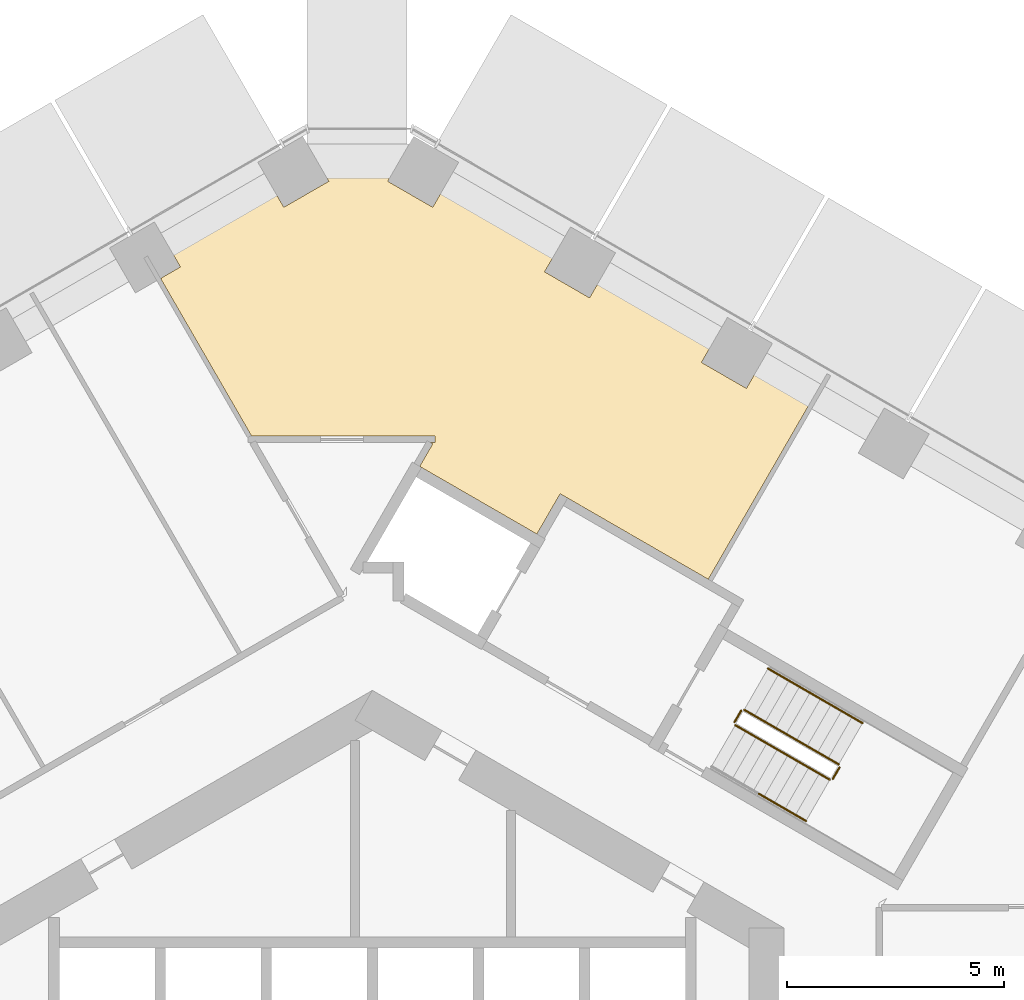
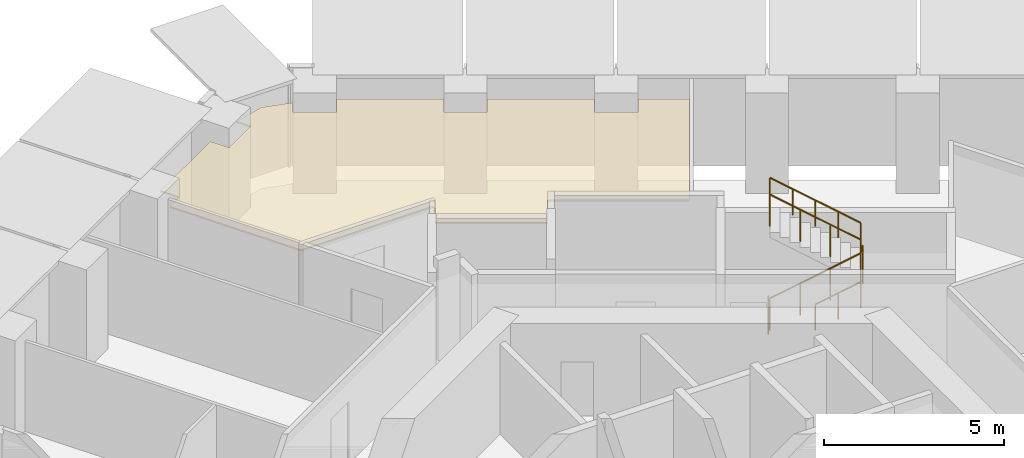
# One storey, part 19 of 19: 7 railings, 1 covering.
"""IFC4 building model written with IfcOpenShell, lengths in metres."""

from ifc_helpers import new_model, si_unit, direction, frame, origin, origin_2d, place, context, subcontext, project, spatial, polyline, circle, outline, extrude, material, layer, layer_set, type_object, element, save


model = new_model("IFC4")

# Units and contexts
model_context = context("Model", 3, precision=1e-05, world=origin(), true_north=direction((0.0, 1.0)))
body_context = subcontext(model_context, "Body", "Model", "MODEL_VIEW")
ifc_project = project(units=[si_unit("LENGTHUNIT", "METRE"), si_unit("AREAUNIT", "SQUARE_METRE"), si_unit("VOLUMEUNIT", "CUBIC_METRE"), si_unit("PLANEANGLEUNIT", "RADIAN"), si_unit("MASSUNIT", "GRAM", prefix="KILO")], contexts=[model_context])

# Site, building, storey
site_placement = place(None, origin())
site = spatial("IfcSite", under=ifc_project, at=site_placement, CompositionType="ELEMENT")
building_placement = place(site_placement, origin())
building = spatial("IfcBuilding", under=site, at=building_placement, Name="Ayvan Gate Tower", CompositionType="ELEMENT")
storey_placement = place(building_placement, frame((0.0, 0.0, 42.5)))
storey = spatial("IfcBuildingStorey", under=building, at=storey_placement, Name="L10", CompositionType="ELEMENT", Elevation=42.5)

# Covering
ifc_material_1 = material(Name="Plasterboard suspended ceiling")
ifc_layer = layer(ifc_material_1, 0.050048828125)
ifc_layer_set = layer_set([ifc_layer], Name="Plasterboard suspended ceiling")
covering_type = type_object("IfcCoveringType", Name="CT-SUSP-50", PredefinedType="CEILING", material=ifc_layer_set)
covering_placement = place(storey_placement, frame((0.0, 0.0, 2.699951171875)))
element("IfcCovering", 1, at=covering_placement, inside=storey, type_object=covering_type, Name="Ceiling Shared Kitchen L10", PredefinedType="CEILING", context=body_context, shape_type="SweptSolid", body=[
    extrude(outline(polyline([(-4.8916015625, 20.48291015625), (-4.43310546875, 20.747802734375), (-4.733154296875, 21.267333984375), (-2.345947265625, 22.6455078125), (-2.0458984375, 22.1259765625), (-1.0068359375, 22.725830078125), (-1.23095703125, 23.1142578125), (-0.296630859375, 23.364501953125), (0.586181640625, 23.1279296875), (0.35400390625, 22.725830078125), (1.393310546875, 22.1259765625), (1.7080078125, 22.671142578125), (4.008544921875, 21.343017578125), (4.291015625, 21.179931640625), (3.976318359375, 20.634521484375), (5.015380859375, 20.03466796875), (5.330078125, 20.579833984375), (7.9130859375, 19.088623046875), (7.598388671875, 18.543212890625), (8.6376953125, 17.943359375), (8.952392578125, 18.48876953125), (10.20068359375, 17.76806640625), (7.756591796875, 13.534912109375), (4.5263671875, 15.39990234375), (4.3359375, 15.510009765625), (3.798583984375, 14.5791015625), (1.135498046875, 16.116455078125), (1.092041015625, 16.1416015625), (1.392578125, 16.662109375), (1.344970703125, 16.689697265625), (1.440185546875, 16.689697265625), (1.440185546875, 16.839599609375), (-2.7880859375, 16.839599609375), (-4.8916015625, 20.48291015625)])), origin(), (0.0, 0.0, 1.0), 0.050048828125),
])

# Railings
ifc_material_2 = material(Name="Stainless steel balustrade", Category="steel")
railing_type_1 = type_object("IfcRailingType", Name="RL-GUARD-1100", PredefinedType="GUARDRAIL", material=ifc_material_2)
railing_1_placement = place(storey_placement, frame((8.381103515625, 10.16650390625, 0.169921875)))
element("IfcRailing", 2, at=railing_1_placement, inside=storey, type_object=railing_type_1, Name="L10 STS1 stair guard 1", PredefinedType="GUARDRAIL", context=body_context, shape_type="SweptSolid", body=[
    extrude(circle(Radius=0.02392578125, at=origin_2d()), frame((0.0, 0.0, 1.076171875), z_axis=(0.740261155115, -0.427395438142, 0.518986090067), x_axis=(0.500004791531, 0.866022637375, 0.0)), (0.0, 0.0, 1.0), 2.947998046875),
    extrude(circle(Radius=0.02099609375, at=origin_2d()), origin(), (0.0, 0.0, 1.0), 1.052001953125),
    extrude(circle(Radius=0.02099609375, at=origin_2d()), frame((0.7275390625, -0.419921875, 0.510009765625)), (0.0, 0.0, 1.0), 1.052001953125),
    extrude(circle(Radius=0.02099609375, at=origin_2d()), frame((1.454833984375, -0.840087890625, 1.02001953125)), (0.0, 0.0, 1.0), 1.052001953125),
    extrude(circle(Radius=0.02099609375, at=origin_2d()), frame((2.182373046875, -1.260009765625, 1.530029296875)), (0.0, 0.0, 1.0), 1.052001953125),
])
railing_2_placement = place(storey_placement, frame((10.6318359375, 8.9248046875, 1.699951171875)))
element("IfcRailing", 3, at=railing_2_placement, inside=storey, type_object=railing_type_1, Name="L10 STS1 stair guard 2", PredefinedType="GUARDRAIL", context=body_context, shape_type="SweptSolid", body=[
    extrude(circle(Radius=0.02392578125, at=origin_2d()), frame((0.0, 0.0, 1.076171875), z_axis=(0.499949632511, 0.866054481515, 0.0), x_axis=(-0.866054481515, 0.499949632511, 0.0)), (0.0, 0.0, 1.0), 0.31005859375),
    extrude(circle(Radius=0.02099609375, at=origin_2d()), origin(), (0.0, 0.0, 1.0), 1.052001953125),
    extrude(circle(Radius=0.02099609375, at=origin_2d()), frame((0.155029296875, 0.2685546875, 0.0)), (0.0, 0.0, 1.0), 1.052001953125),
])
railing_3_placement = place(storey_placement, frame((10.7685546875, 9.261474609375, 1.8701171875)))
element("IfcRailing", 4, at=railing_3_placement, inside=storey, type_object=railing_type_1, Name="L10 STS1 stair guard 3", PredefinedType="GUARDRAIL", context=body_context, shape_type="SweptSolid", body=[
    extrude(circle(Radius=0.02392578125, at=origin_2d()), frame((0.0, 0.0, 1.076171875), z_axis=(-0.740292969978, 0.427413806696, 0.51892557891), x_axis=(-0.500004791531, -0.866022637375, 0.0)), (0.0, 0.0, 1.0), 2.947998046875),
    extrude(circle(Radius=0.02099609375, at=origin_2d()), origin(), (0.0, 0.0, 1.0), 1.052001953125),
    extrude(circle(Radius=0.02099609375, at=origin_2d()), frame((-0.7275390625, 0.419921875, 0.510009765625)), (0.0, 0.0, 1.0), 1.052001953125),
    extrude(circle(Radius=0.02099609375, at=origin_2d()), frame((-1.454833984375, 0.840087890625, 1.019775390625)), (0.0, 0.0, 1.0), 1.052001953125),
    extrude(circle(Radius=0.02099609375, at=origin_2d()), frame((-2.182373046875, 1.260009765625, 1.52978515625)), (0.0, 0.0, 1.0), 1.052001953125),
])
railing_4_placement = place(storey_placement, frame((8.36279296875, 10.23486328125, 0.0)))
element("IfcRailing", 5, at=railing_4_placement, inside=storey, type_object=railing_type_1, Name="L10 STS1 stair guard 4", PredefinedType="GUARDRAIL", context=body_context, shape_type="SweptSolid", body=[
    extrude(circle(Radius=0.02392578125, at=origin_2d()), frame((0.0, 0.0, 1.076171875), z_axis=(0.500290723946, 0.86585748916, 0.0), x_axis=(-0.86585748916, 0.500290723946, 0.0)), (0.0, 0.0, 1.0), 0.309814453125),
    extrude(circle(Radius=0.02099609375, at=origin_2d()), origin(), (0.0, 0.0, 1.0), 1.052001953125),
    extrude(circle(Radius=0.02099609375, at=origin_2d()), frame((0.155029296875, 0.268310546875, 0.0)), (0.0, 0.0, 1.0), 1.052001953125),
])
railing_type_2 = type_object("IfcRailingType", Name="RL-HANDRAIL-900", PredefinedType="HANDRAIL", material=ifc_material_2)
railing_5_placement = place(storey_placement, frame((8.92236328125, 8.583984375, 0.93505859375)))
element("IfcRailing", 6, at=railing_5_placement, inside=storey, type_object=railing_type_2, Name="L10 STS1 stair handrail 2", PredefinedType="HANDRAIL", context=body_context, shape_type="SweptSolid", body=[
    extrude(circle(Radius=0.02392578125, at=origin_2d()), frame((0.0, 0.0, 0.8759765625), z_axis=(0.740229329464, -0.427507697325, 0.518939021976), x_axis=(0.50011940292, 0.865956455501, 0.0)), (0.0, 0.0, 1.0), 1.473876953125),
    extrude(circle(Radius=0.02099609375, at=origin_2d()), origin(), (0.0, 0.0, 1.0), 0.851806640625),
    extrude(circle(Radius=0.02099609375, at=origin_2d()), frame((0.54541015625, -0.31494140625, 0.38232421875)), (0.0, 0.0, 1.0), 0.851806640625),
    extrude(circle(Radius=0.02099609375, at=origin_2d()), frame((1.091064453125, -0.630126953125, 0.764892578125)), (0.0, 0.0, 1.0), 0.851806640625),
])
railing_6_placement = place(storey_placement, frame((11.318603515625, 10.214111328125, 1.8701171875)))
element("IfcRailing", 7, at=railing_6_placement, inside=storey, type_object=railing_type_2, Name="L10 STS1 stair handrail 3", PredefinedType="HANDRAIL", context=body_context, shape_type="SweptSolid", body=[
    extrude(circle(Radius=0.02392578125, at=origin_2d()), frame((0.0, 0.0, 0.8759765625), z_axis=(-0.740304193401, 0.427455284825, 0.518875399983), x_axis=(-0.500035496587, -0.86600490885, 0.0)), (0.0, 0.0, 1.0), 1.47412109375),
    extrude(circle(Radius=0.02099609375, at=origin_2d()), origin(), (0.0, 0.0, 1.0), 0.851806640625),
    extrude(circle(Radius=0.02099609375, at=origin_2d()), frame((-0.545654296875, 0.31494140625, 0.38232421875)), (0.0, 0.0, 1.0), 0.851806640625),
    extrude(circle(Radius=0.02099609375, at=origin_2d()), frame((-1.09130859375, 0.630126953125, 0.764892578125)), (0.0, 0.0, 1.0), 0.851806640625),
])
railing_7_placement = place(storey_placement, frame((10.227294921875, 10.84423828125, 2.635009765625)))
element("IfcRailing", 8, at=railing_7_placement, inside=storey, type_object=railing_type_2, Name="L10 STS1 stair handrail 4", PredefinedType="HANDRAIL", context=body_context, shape_type="SweptSolid", body=[
    extrude(circle(Radius=0.02392578125, at=origin_2d()), frame((0.0, 0.0, 0.8759765625), z_axis=(-0.740356597536, 0.427319915356, 0.518912129772), x_axis=(-0.499890179513, -0.866088799389, 0.0)), (0.0, 0.0, 1.0), 1.47412109375),
    extrude(circle(Radius=0.02099609375, at=origin_2d()), origin(), (0.0, 0.0, 1.0), 0.851806640625),
    extrude(circle(Radius=0.02099609375, at=origin_2d()), frame((-0.545654296875, 0.31494140625, 0.38232421875)), (0.0, 0.0, 1.0), 0.851806640625),
    extrude(circle(Radius=0.02099609375, at=origin_2d()), frame((-1.09130859375, 0.6298828125, 0.764892578125)), (0.0, 0.0, 1.0), 0.851806640625),
])

save(model, "model.ifc")
